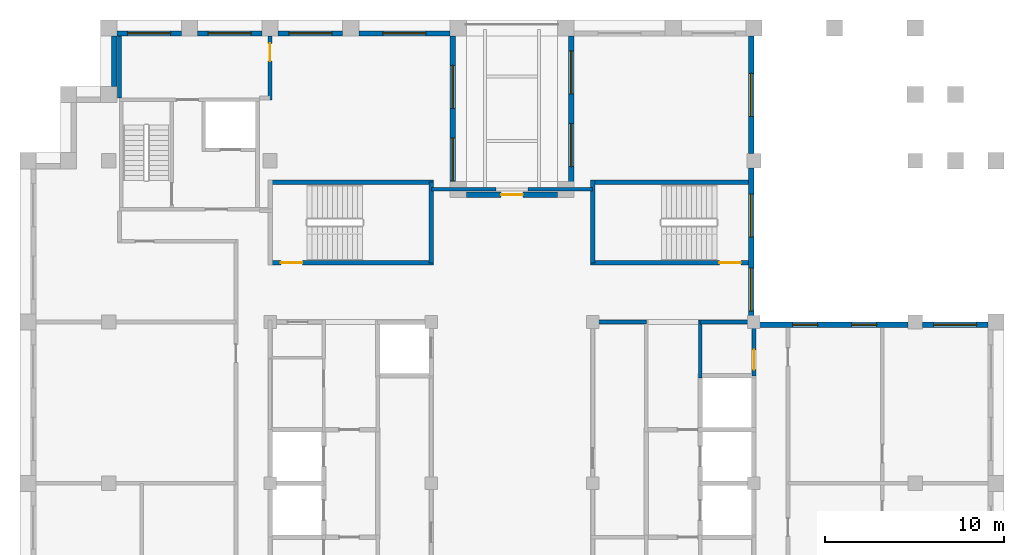
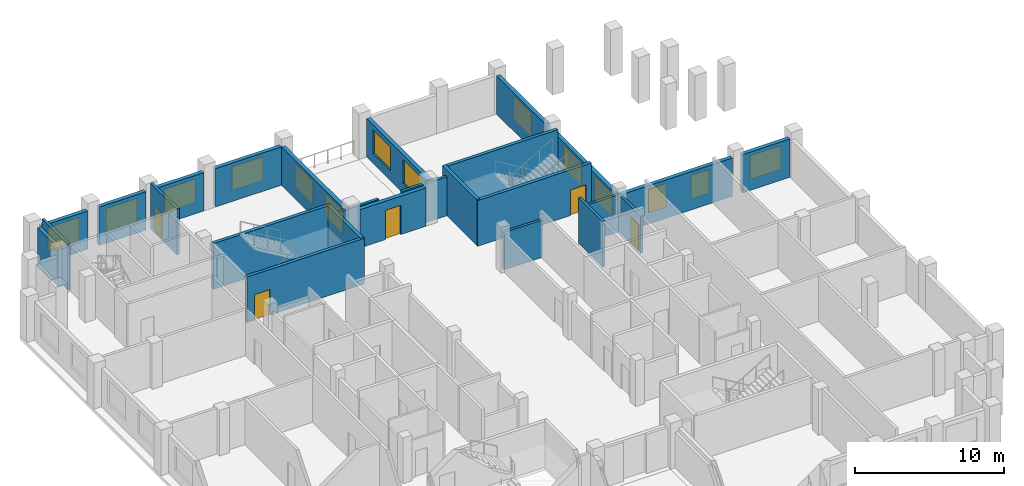
# One storey, part 6 of 8: 26 walls, 14 windows, 5 doors, 19 openings.
"""IFC4 building model written with IfcOpenShell, lengths in metres."""

import ifcopenshell
import ifcopenshell.guid

model = None  # the IFC model being written
_history = None  # IfcOwnerHistory: only IFC2X3 demands one
_inside = {}  # id of a spatial element -> (the spatial element, [elements in it])
_under = {}  # id of a project, library or spatial element -> (it, [spatial elements below it])
_declared = {}  # id of a project -> (the project, [libraries it declares])
_typed = {}  # id of a type object -> (the type object, [elements of that type])
_made_of = {}  # id of a material, layer set ... -> (it, [elements and type objects made of it])


def new_model(schema):
    """Start an empty IFC model of exactly this schema.

    Asked for "IFC4X3", IfcOpenShell would pick the latest addendum, in which some entities
    have other attributes; the version numbers below select the first issue.
    IFC2X3 requires an IfcOwnerHistory on every rooted entity: one is made here for all.
    """
    global model, _history
    if schema == "IFC4X3":
        model = ifcopenshell.file(schema_version=(4, 3, 0, 0))
    else:
        model = ifcopenshell.file(schema=schema)
    _inside.clear()
    _under.clear()
    _declared.clear()
    _typed.clear()
    _made_of.clear()
    _history = None
    if model.schema == "IFC2X3":
        org = make("IfcOrganization", Name="unknown")
        user = make(
            "IfcPersonAndOrganization",
            ThePerson=make("IfcPerson", FamilyName="unknown"),
            TheOrganization=org,
        )
        app = make(
            "IfcApplication",
            ApplicationDeveloper=org,
            Version="unknown",
            ApplicationFullName="unknown",
            ApplicationIdentifier="unknown",
        )
        _history = make(
            "IfcOwnerHistory",
            OwningUser=user,
            OwningApplication=app,
            ChangeAction="ADDED",
            CreationDate=0,
        )
    return model


def make(cls, **values):
    """One entity of the class cls with the attributes given. An attribute that is None is left unset."""
    return model.create_entity(
        cls, **{name: value for name, value in values.items() if value is not None}
    )


def rooted(cls, **values):
    """An entity with a GlobalId (a new one), such as an element, a storey or a relation."""
    return make(cls, GlobalId=ifcopenshell.guid.new(), OwnerHistory=_history, **values)


def si_unit(unit_type, name, prefix=None):
    """IfcSIUnit, for example si_unit("LENGTHUNIT", "METRE", prefix="MILLI")."""
    return make("IfcSIUnit", UnitType=unit_type, Prefix=prefix, Name=name)


def assignment(units):
    """IfcUnitAssignment: the units of a project."""
    return None if units is None else make("IfcUnitAssignment", Units=units)


def point(xyz):
    """IfcCartesianPoint."""
    return None if xyz is None else make("IfcCartesianPoint", Coordinates=xyz)


def direction(xyz):
    """IfcDirection."""
    return None if xyz is None else make("IfcDirection", DirectionRatios=xyz)


def frame(location, z_axis=None, x_axis=None):
    """IfcAxis2Placement3D, a coordinate frame: its origin and axes. An axis left out is left unset."""
    return make(
        "IfcAxis2Placement3D",
        Location=point(location),
        Axis=direction(z_axis),
        RefDirection=direction(x_axis),
    )


def frame_2d(location, x_axis=None):
    """IfcAxis2Placement2D, a coordinate frame in the plane: its origin and x axis."""
    return make(
        "IfcAxis2Placement2D", Location=point(location), RefDirection=direction(x_axis)
    )


def origin():
    """The frame at (0, 0, 0) with its axes left unset."""
    return frame((0.0, 0.0, 0.0))


def place(relative_to, where):
    """IfcLocalPlacement: puts the frame where relative to a parent placement (None: the world)."""
    return make(
        "IfcLocalPlacement", PlacementRelTo=relative_to, RelativePlacement=where
    )


def context(
    kind, dimensions, precision=None, world=None, true_north=None, identifier=None
):
    """IfcGeometricRepresentationContext, for example the 3D "Model" context."""
    return make(
        "IfcGeometricRepresentationContext",
        ContextIdentifier=identifier,
        ContextType=kind,
        CoordinateSpaceDimension=dimensions,
        Precision=precision,
        WorldCoordinateSystem=world,
        TrueNorth=true_north,
    )


def subcontext(parent, identifier, kind, view, scale=None):
    """IfcGeometricRepresentationSubContext, for example "Body" below "Model"."""
    return make(
        "IfcGeometricRepresentationSubContext",
        ContextIdentifier=identifier,
        ContextType=kind,
        ParentContext=parent,
        TargetScale=scale,
        TargetView=view,
    )


def project(units=None, contexts=None):
    """IfcProject with its units and contexts."""
    return rooted(
        "IfcProject",
        Name="project",
        RepresentationContexts=contexts,
        UnitsInContext=assignment(units),
    )


def spatial(cls, under=None, at=None, **own):
    """A site, building, storey or space (cls), placed at a placement, below another one or the project."""
    s = rooted(cls, ObjectPlacement=at, **own)
    if under is not None:
        _under.setdefault(under.id(), (under, []))[1].append(s)
    return s


def profile(cls, at=None, kind="AREA", **sizes):
    """A parametric profile (cls). Its sizes go by their IFC names, for example OverallWidth=200.0."""
    return make(cls, ProfileType=kind, Position=at, **sizes)


def rectangle(**sizes):
    """IfcRectangleProfileDef."""
    return profile("IfcRectangleProfileDef", **sizes)


def extrude(swept, where, along, depth):
    """IfcExtrudedAreaSolid: the profile swept, set in the frame where, extruded along a direction by depth."""
    return make(
        "IfcExtrudedAreaSolid",
        SweptArea=swept,
        Position=where,
        ExtrudedDirection=direction(along),
        Depth=depth,
    )


def shape(context_of_items, identifier, shape_type, items):
    """IfcShapeRepresentation: the items that make up one representation, for example the "Body"."""
    return make(
        "IfcShapeRepresentation",
        ContextOfItems=context_of_items,
        RepresentationIdentifier=identifier,
        RepresentationType=shape_type,
        Items=items,
    )


def material(Name=None, Category=None):
    """IfcMaterial."""
    return make("IfcMaterial", Name=Name, Category=Category)


def layer(
    of_material, thickness, ventilated=None, Name=None, Category=None, Priority=None
):
    """IfcMaterialLayer: one layer of a wall or slab, of a material (None: an air gap)."""
    return make(
        "IfcMaterialLayer",
        Material=of_material,
        LayerThickness=thickness,
        IsVentilated=ventilated,
        Name=Name,
        Category=Category,
        Priority=Priority,
    )


def layer_set(layers, Name=None):
    """IfcMaterialLayerSet."""
    return make("IfcMaterialLayerSet", MaterialLayers=layers, LayerSetName=Name)


def made_of(thing, what):
    """Note that an element or type object is made of a material, layer set ...; save() writes the relation."""
    if what is not None:
        _made_of.setdefault(what.id(), (what, []))[1].append(thing)
    return thing


def type_object(cls, material=None, **own):
    """A type object (cls), such as IfcWallType, which elements share."""
    return made_of(rooted(cls, **own), material)


def element(
    cls,
    number,
    at=None,
    inside=None,
    cuts=None,
    type_object=None,
    material=None,
    context=None,
    identifier="Body",
    shape_type=None,
    held_by="IfcProductDefinitionShape",
    body=None,
    shapes=None,
    **own,
):
    """One element of the class cls, such as IfcWall. Its Tag is "e" and its number.

    at: its placement. inside: the storey or other place that contains it. cuts: it is an
    opening in that element (IfcRelVoidsElement). A single representation is given by context,
    identifier, shape_type and body (its items); several are given by shapes. held_by: the class
    of the entity that holds the representations. save() writes the other relations.
    """
    e = rooted(cls, Tag="e%d" % number, ObjectPlacement=at, **own)
    if body is not None:
        shapes = [shape(context, identifier, shape_type, body)]
    if shapes is not None:
        e.Representation = make(held_by, Representations=shapes)
    if inside is not None:
        _inside.setdefault(inside.id(), (inside, []))[1].append(e)
    if cuts is not None:
        rooted(
            "IfcRelVoidsElement", RelatingBuildingElement=cuts, RelatedOpeningElement=e
        )
    if type_object is not None:
        _typed.setdefault(type_object.id(), (type_object, []))[1].append(e)
    return made_of(e, material)


def fill(opening, filler):
    """IfcRelFillsElement: the door or window that sits in an opening."""
    return rooted(
        "IfcRelFillsElement",
        RelatingOpeningElement=opening,
        RelatedBuildingElement=filler,
    )


def aggregate(whole, parts):
    """IfcRelAggregates: a whole, such as a stair, and the parts it consists of."""
    return rooted("IfcRelAggregates", RelatingObject=whole, RelatedObjects=parts)


def save(model, path):
    """Write the relations noted so far, then the file.

    IfcRelAggregates (storeys below a building ...), IfcRelContainedInSpatialStructure (elements
    in a storey), IfcRelDefinesByType, IfcRelAssociatesMaterial and IfcRelDeclares: one each for
    every whole, place, type object, material and project.
    """
    for whole, parts in _under.values():
        aggregate(whole, parts)
    for where, things in _inside.values():
        rooted(
            "IfcRelContainedInSpatialStructure",
            RelatedElements=things,
            RelatingStructure=where,
        )
    for kind, things in _typed.values():
        rooted("IfcRelDefinesByType", RelatedObjects=things, RelatingType=kind)
    for what, things in _made_of.values():
        rooted("IfcRelAssociatesMaterial", RelatedObjects=things, RelatingMaterial=what)
    for by, libraries in _declared.values():
        rooted("IfcRelDeclares", RelatingContext=by, RelatedDefinitions=libraries)
    model.write(path)


model = new_model("IFC4")

# Units and contexts
model_context = context("Model", 3, precision=1e-05, world=origin(), true_north=direction((0.0, 1.0)))
body_context = subcontext(model_context, "Body", "Model", "MODEL_VIEW")
ifc_project = project(units=[si_unit("LENGTHUNIT", "METRE"), si_unit("AREAUNIT", "SQUARE_METRE"), si_unit("VOLUMEUNIT", "CUBIC_METRE"), si_unit("PLANEANGLEUNIT", "RADIAN"), si_unit("MASSUNIT", "GRAM", prefix="KILO")], contexts=[model_context])

# Site, building, storey
site_placement = place(None, origin())
site = spatial("IfcSite", under=ifc_project, at=site_placement, CompositionType="ELEMENT")
building_placement = place(site_placement, origin())
building = spatial("IfcBuilding", under=site, at=building_placement, Name="Corbelhall Arena Tower", CompositionType="ELEMENT")
storey_placement = place(building_placement, frame((0.0, 0.0, 326.0)))
storey = spatial("IfcBuildingStorey", under=building, at=storey_placement, Name="L71", CompositionType="ELEMENT", Elevation=326.0)

# Wall, openings, windows
ifc_material_1 = material(Name="Precast concrete C40/50 with granite facing", Category="masonry")
ifc_layer_1 = layer(ifc_material_1, 0.300048828125)
ifc_layer_set_1 = layer_set([ifc_layer_1], Name="EV-IW1 Infill panel 300")
wall_type_1 = type_object("IfcWallType", Name="EV-IW1 Infill panel 300", PredefinedType="SOLIDWALL", material=ifc_layer_set_1)
wall_1_placement = place(storey_placement, frame((3.300048828125, 24.949951171875, 0.0), z_axis=(0.0, 0.0, 1.0), x_axis=(0.0, -1.0, 0.0)))
wall_1 = element("IfcWall", 1, at=wall_1_placement, inside=storey, type_object=wall_type_1, Name="Infill panel IW1", PredefinedType="SOLIDWALL", context=body_context, shape_type="SweptSolid", body=[
    extrude(rectangle(XDim=8.5, YDim=0.300048828125, at=frame_2d((4.25, 0.0))), origin(), (0.0, 0.0, 1.0), 3.139892578125),
])
opening_1_placement = place(wall_1_placement, frame((0.824951171875, 0.0, 0.800048828125)))
opening_1 = element("IfcOpeningElement", 2, at=opening_1_placement, cuts=wall_1, Name="Opening WN1", PredefinedType="OPENING", context=body_context, shape_type="SweptSolid", body=[
    extrude(rectangle(XDim=2.39990234375, YDim=1.949951171875, at=frame_2d((1.199951171875, 0.97509765625))), frame((0.0, 0.14990234375, 0.0), z_axis=(0.0, -1.0, 0.0), x_axis=(1.0, 0.0, 0.0)), (0.0, 0.0, 1.0), 0.300048828125),
])
opening_2_placement = place(wall_1_placement, frame((4.875, 0.0, 0.800048828125)))
opening_2 = element("IfcOpeningElement", 3, at=opening_2_placement, cuts=wall_1, Name="Opening WN1", PredefinedType="OPENING", context=body_context, shape_type="SweptSolid", body=[
    extrude(rectangle(XDim=2.39990234375, YDim=1.949951171875, at=frame_2d((1.199951171875, 0.97509765625))), frame((0.0, 0.14990234375, 0.0), z_axis=(0.0, -1.0, 0.0), x_axis=(1.0, 0.0, 0.0)), (0.0, 0.0, 1.0), 0.300048828125),
])
ifc_material_2 = material(Name="Aluminium black anodised", Category="aluminium")
window_type_1 = type_object("IfcWindowType", Name="EV-WN1 Office window", PartitioningType="SINGLE_PANEL", PredefinedType="WINDOW", material=ifc_material_2)
window_1_placement = place(opening_1_placement, origin())
window_1 = element("IfcWindow", 4, at=window_1_placement, inside=storey, type_object=window_type_1, Name="Window WN1", OverallHeight=1.949951171875, OverallWidth=2.39990234375, PartitioningType="SINGLE_PANEL", PredefinedType="WINDOW", context=body_context, shape_type="SweptSolid", body=[
    extrude(rectangle(XDim=2.39990234375, YDim=1.949951171875, at=frame_2d((1.199951171875, 0.97509765625))), frame((0.0, 0.030029296875, 0.0), z_axis=(0.0, -1.0, 0.0), x_axis=(1.0, 0.0, 0.0)), (0.0, 0.0, 1.0), 0.06005859375),
])
fill(opening_1, window_1)
window_2_placement = place(opening_2_placement, origin())
window_2 = element("IfcWindow", 5, at=window_2_placement, inside=storey, type_object=window_type_1, Name="Window WN1", OverallHeight=1.949951171875, OverallWidth=2.39990234375, PartitioningType="SINGLE_PANEL", PredefinedType="WINDOW", context=body_context, shape_type="SweptSolid", body=[
    extrude(rectangle(XDim=2.39990234375, YDim=1.949951171875, at=frame_2d((1.199951171875, 0.97509765625))), frame((0.0, 0.030029296875, 0.0), z_axis=(0.0, -1.0, 0.0), x_axis=(1.0, 0.0, 0.0)), (0.0, 0.0, 1.0), 0.06005859375),
])
fill(opening_2, window_2)

# Wall, opening, door
wall_2_placement = place(storey_placement, frame((-2.550048828125, 16.10009765625, 0.0), z_axis=(0.0, 0.0, 1.0), x_axis=(1.0, 0.0, 0.0)))
wall_2 = element("IfcWall", 6, at=wall_2_placement, inside=storey, type_object=wall_type_1, Name="Infill panel IW1", PredefinedType="SOLIDWALL", context=body_context, shape_type="SweptSolid", body=[
    extrude(rectangle(XDim=5.10009765625, YDim=0.300048828125, at=frame_2d((2.550048828125, 0.0))), origin(), (0.0, 0.0, 1.0), 3.139892578125),
])
opening_3_placement = place(wall_2_placement, frame((1.949951171875, 0.0, 0.0)))
opening_3 = element("IfcOpeningElement", 7, at=opening_3_placement, cuts=wall_2, Name="Opening ED1", PredefinedType="OPENING", context=body_context, shape_type="SweptSolid", body=[
    extrude(rectangle(XDim=1.199951171875, YDim=2.39990234375, at=frame_2d((0.60009765625, 1.199951171875))), frame((0.0, 0.14990234375, 0.0), z_axis=(0.0, -1.0, 0.0), x_axis=(1.0, 0.0, 0.0)), (0.0, 0.0, 1.0), 0.300048828125),
])
door_type_1 = type_object("IfcDoorType", Name="EV-ED1 Terrace door", OperationType="SINGLE_SWING_LEFT", PredefinedType="DOOR", material=ifc_material_2)
door_1_placement = place(opening_3_placement, origin())
door_1 = element("IfcDoor", 8, at=door_1_placement, inside=storey, type_object=door_type_1, Name="Terrace door", OperationType="SINGLE_SWING_LEFT", OverallHeight=2.39990234375, OverallWidth=1.199951171875, PredefinedType="DOOR", context=body_context, shape_type="SweptSolid", body=[
    extrude(rectangle(XDim=1.199951171875, YDim=2.39990234375, at=frame_2d((0.60009765625, 1.199951171875))), frame((0.0, 0.02490234375, 0.0), z_axis=(0.0, -1.0, 0.0), x_axis=(1.0, 0.0, 0.0)), (0.0, 0.0, 1.0), 0.050048828125),
])
fill(opening_3, door_1)

# Wall, openings, windows
wall_3_placement = place(storey_placement, frame((-3.300048828125, 16.449951171875, 0.0), z_axis=(0.0, 0.0, 1.0), x_axis=(0.0, 1.0, 0.0)))
wall_3 = element("IfcWall", 9, at=wall_3_placement, inside=storey, type_object=wall_type_1, Name="Infill panel IW1", PredefinedType="SOLIDWALL", context=body_context, shape_type="SweptSolid", body=[
    extrude(rectangle(XDim=8.5, YDim=0.300048828125, at=frame_2d((4.25, 0.0))), origin(), (0.0, 0.0, 1.0), 3.139892578125),
])
opening_4_placement = place(wall_3_placement, frame((0.425048828125, 0.0, 0.800048828125)))
opening_4 = element("IfcOpeningElement", 10, at=opening_4_placement, cuts=wall_3, Name="Opening WN1", PredefinedType="OPENING", context=body_context, shape_type="SweptSolid", body=[
    extrude(rectangle(XDim=2.39990234375, YDim=1.949951171875, at=frame_2d((1.199951171875, 0.97509765625))), frame((0.0, 0.14990234375, 0.0), z_axis=(0.0, -1.0, 0.0), x_axis=(1.0, 0.0, 0.0)), (0.0, 0.0, 1.0), 0.300048828125),
])
opening_5_placement = place(wall_3_placement, frame((4.47509765625, 0.0, 0.800048828125)))
opening_5 = element("IfcOpeningElement", 11, at=opening_5_placement, cuts=wall_3, Name="Opening WN1", PredefinedType="OPENING", context=body_context, shape_type="SweptSolid", body=[
    extrude(rectangle(XDim=2.39990234375, YDim=1.949951171875, at=frame_2d((1.199951171875, 0.97509765625))), frame((0.0, 0.14990234375, 0.0), z_axis=(0.0, -1.0, 0.0), x_axis=(1.0, 0.0, 0.0)), (0.0, 0.0, 1.0), 0.300048828125),
])
window_3_placement = place(opening_4_placement, origin())
window_3 = element("IfcWindow", 12, at=window_3_placement, inside=storey, type_object=window_type_1, Name="Window WN1", OverallHeight=1.949951171875, OverallWidth=2.39990234375, PartitioningType="SINGLE_PANEL", PredefinedType="WINDOW", context=body_context, shape_type="SweptSolid", body=[
    extrude(rectangle(XDim=2.39990234375, YDim=1.949951171875, at=frame_2d((1.199951171875, 0.97509765625))), frame((0.0, 0.030029296875, 0.0), z_axis=(0.0, -1.0, 0.0), x_axis=(1.0, 0.0, 0.0)), (0.0, 0.0, 1.0), 0.06005859375),
])
fill(opening_4, window_3)
window_4_placement = place(opening_5_placement, origin())
window_4 = element("IfcWindow", 13, at=window_4_placement, inside=storey, type_object=window_type_1, Name="Window WN1", OverallHeight=1.949951171875, OverallWidth=2.39990234375, PartitioningType="SINGLE_PANEL", PredefinedType="WINDOW", context=body_context, shape_type="SweptSolid", body=[
    extrude(rectangle(XDim=2.39990234375, YDim=1.949951171875, at=frame_2d((1.199951171875, 0.97509765625))), frame((0.0, 0.030029296875, 0.0), z_axis=(0.0, -1.0, 0.0), x_axis=(1.0, 0.0, 0.0)), (0.0, 0.0, 1.0), 0.06005859375),
])
fill(opening_5, window_4)

# Wall, opening, window
wall_4_placement = place(storey_placement, frame((-3.449951171875, 25.10009765625, 0.0), z_axis=(0.0, 0.0, 1.0), x_axis=(-1.0, 0.0, 0.0)))
wall_4 = element("IfcWall", 14, at=wall_4_placement, inside=storey, type_object=wall_type_1, Name="Infill panel IW1", PredefinedType="SOLIDWALL", context=body_context, shape_type="SweptSolid", body=[
    extrude(rectangle(XDim=5.10009765625, YDim=0.300048828125, at=frame_2d((2.550048828125, 0.0))), origin(), (0.0, 0.0, 1.0), 3.139892578125),
])
opening_6_placement = place(wall_4_placement, frame((1.35009765625, 0.0, 0.800048828125)))
opening_6 = element("IfcOpeningElement", 15, at=opening_6_placement, cuts=wall_4, Name="Opening WN1", PredefinedType="OPENING", context=body_context, shape_type="SweptSolid", body=[
    extrude(rectangle(XDim=2.39990234375, YDim=1.949951171875, at=frame_2d((1.199951171875, 0.97509765625))), frame((0.0, 0.14990234375, 0.0), z_axis=(0.0, -1.0, 0.0), x_axis=(1.0, 0.0, 0.0)), (0.0, 0.0, 1.0), 0.300048828125),
])
window_5_placement = place(opening_6_placement, origin())
window_5 = element("IfcWindow", 16, at=window_5_placement, inside=storey, type_object=window_type_1, Name="Window WN1", OverallHeight=1.949951171875, OverallWidth=2.39990234375, PartitioningType="SINGLE_PANEL", PredefinedType="WINDOW", context=body_context, shape_type="SweptSolid", body=[
    extrude(rectangle(XDim=2.39990234375, YDim=1.949951171875, at=frame_2d((1.199951171875, 0.97509765625))), frame((0.0, 0.030029296875, 0.0), z_axis=(0.0, -1.0, 0.0), x_axis=(1.0, 0.0, 0.0)), (0.0, 0.0, 1.0), 0.06005859375),
])
fill(opening_6, window_5)

wall_5_placement = place(storey_placement, frame((-9.449951171875, 25.10009765625, 0.0), z_axis=(0.0, 0.0, 1.0), x_axis=(-1.0, 0.0, 0.0)))
wall_5 = element("IfcWall", 17, at=wall_5_placement, inside=storey, type_object=wall_type_1, Name="Infill panel IW1", PredefinedType="SOLIDWALL", context=body_context, shape_type="SweptSolid", body=[
    extrude(rectangle(XDim=3.60009765625, YDim=0.300048828125, at=frame_2d((1.800048828125, 0.0))), origin(), (0.0, 0.0, 1.0), 3.139892578125),
])
opening_7_placement = place(wall_5_placement, frame((0.60009765625, 0.0, 0.800048828125)))
opening_7 = element("IfcOpeningElement", 18, at=opening_7_placement, cuts=wall_5, Name="Opening WN1", PredefinedType="OPENING", context=body_context, shape_type="SweptSolid", body=[
    extrude(rectangle(XDim=2.39990234375, YDim=1.949951171875, at=frame_2d((1.199951171875, 0.97509765625))), frame((0.0, 0.14990234375, 0.0), z_axis=(0.0, -1.0, 0.0), x_axis=(1.0, 0.0, 0.0)), (0.0, 0.0, 1.0), 0.300048828125),
])
window_6_placement = place(opening_7_placement, origin())
window_6 = element("IfcWindow", 19, at=window_6_placement, inside=storey, type_object=window_type_1, Name="Window WN1", OverallHeight=1.949951171875, OverallWidth=2.39990234375, PartitioningType="SINGLE_PANEL", PredefinedType="WINDOW", context=body_context, shape_type="SweptSolid", body=[
    extrude(rectangle(XDim=2.39990234375, YDim=1.949951171875, at=frame_2d((1.199951171875, 0.97509765625))), frame((0.0, 0.030029296875, 0.0), z_axis=(0.0, -1.0, 0.0), x_axis=(1.0, 0.0, 0.0)), (0.0, 0.0, 1.0), 0.06005859375),
])
fill(opening_7, window_6)

wall_6_placement = place(storey_placement, frame((-13.949951171875, 25.10009765625, 0.0), z_axis=(0.0, 0.0, 1.0), x_axis=(-1.0, 0.0, 0.0)))
wall_6 = element("IfcWall", 20, at=wall_6_placement, inside=storey, type_object=wall_type_1, Name="Infill panel IW1", PredefinedType="SOLIDWALL", context=body_context, shape_type="SweptSolid", body=[
    extrude(rectangle(XDim=3.60009765625, YDim=0.300048828125, at=frame_2d((1.800048828125, 0.0))), origin(), (0.0, 0.0, 1.0), 3.139892578125),
])
opening_8_placement = place(wall_6_placement, frame((0.60009765625, 0.0, 0.800048828125)))
opening_8 = element("IfcOpeningElement", 21, at=opening_8_placement, cuts=wall_6, Name="Opening WN1", PredefinedType="OPENING", context=body_context, shape_type="SweptSolid", body=[
    extrude(rectangle(XDim=2.39990234375, YDim=1.949951171875, at=frame_2d((1.199951171875, 0.97509765625))), frame((0.0, 0.14990234375, 0.0), z_axis=(0.0, -1.0, 0.0), x_axis=(1.0, 0.0, 0.0)), (0.0, 0.0, 1.0), 0.300048828125),
])
window_7_placement = place(opening_8_placement, origin())
window_7 = element("IfcWindow", 22, at=window_7_placement, inside=storey, type_object=window_type_1, Name="Window WN1", OverallHeight=1.949951171875, OverallWidth=2.39990234375, PartitioningType="SINGLE_PANEL", PredefinedType="WINDOW", context=body_context, shape_type="SweptSolid", body=[
    extrude(rectangle(XDim=2.39990234375, YDim=1.949951171875, at=frame_2d((1.199951171875, 0.97509765625))), frame((0.0, 0.030029296875, 0.0), z_axis=(0.0, -1.0, 0.0), x_axis=(1.0, 0.0, 0.0)), (0.0, 0.0, 1.0), 0.06005859375),
])
fill(opening_8, window_7)

wall_7_placement = place(storey_placement, frame((-18.449951171875, 25.10009765625, 0.0), z_axis=(0.0, 0.0, 1.0), x_axis=(-1.0, 0.0, 0.0)))
wall_7 = element("IfcWall", 23, at=wall_7_placement, inside=storey, type_object=wall_type_1, Name="Infill panel IW1", PredefinedType="SOLIDWALL", context=body_context, shape_type="SweptSolid", body=[
    extrude(rectangle(XDim=3.60009765625, YDim=0.300048828125, at=frame_2d((1.800048828125, 0.0))), origin(), (0.0, 0.0, 1.0), 3.139892578125),
])
opening_9_placement = place(wall_7_placement, frame((0.60009765625, 0.0, 0.800048828125)))
opening_9 = element("IfcOpeningElement", 24, at=opening_9_placement, cuts=wall_7, Name="Opening WN1", PredefinedType="OPENING", context=body_context, shape_type="SweptSolid", body=[
    extrude(rectangle(XDim=2.39990234375, YDim=1.949951171875, at=frame_2d((1.199951171875, 0.97509765625))), frame((0.0, 0.14990234375, 0.0), z_axis=(0.0, -1.0, 0.0), x_axis=(1.0, 0.0, 0.0)), (0.0, 0.0, 1.0), 0.300048828125),
])
window_8_placement = place(opening_9_placement, origin())
window_8 = element("IfcWindow", 25, at=window_8_placement, inside=storey, type_object=window_type_1, Name="Window WN1", OverallHeight=1.949951171875, OverallWidth=2.39990234375, PartitioningType="SINGLE_PANEL", PredefinedType="WINDOW", context=body_context, shape_type="SweptSolid", body=[
    extrude(rectangle(XDim=2.39990234375, YDim=1.949951171875, at=frame_2d((1.199951171875, 0.97509765625))), frame((0.0, 0.030029296875, 0.0), z_axis=(0.0, -1.0, 0.0), x_axis=(1.0, 0.0, 0.0)), (0.0, 0.0, 1.0), 0.06005859375),
])
fill(opening_9, window_8)

# Wall
wall_8_placement = place(storey_placement, frame((-22.199951171875, 24.949951171875, 0.0), z_axis=(0.0, 0.0, 1.0), x_axis=(0.0, -1.0, 0.0)))
element("IfcWall", 26, at=wall_8_placement, inside=storey, type_object=wall_type_1, Name="Infill panel IW1", PredefinedType="SOLIDWALL", context=body_context, shape_type="SweptSolid", body=[
    extrude(rectangle(XDim=2.800048828125, YDim=0.300048828125, at=frame_2d((1.39990234375, 0.0))), origin(), (0.0, 0.0, 1.0), 3.139892578125),
])

# Wall, openings, windows
wall_9_placement = place(storey_placement, frame((13.35009765625, 9.050048828125, 0.0), z_axis=(0.0, 0.0, 1.0), x_axis=(0.0, 1.0, 0.0)))
wall_9 = element("IfcWall", 27, at=wall_9_placement, inside=storey, type_object=wall_type_1, Name="Infill panel IW1", PredefinedType="SOLIDWALL", context=body_context, shape_type="SweptSolid", body=[
    extrude(rectangle(XDim=8.550048828125, YDim=0.300048828125, at=frame_2d((4.27490234375, 0.0))), origin(), (0.0, 0.0, 1.0), 3.139892578125),
])
opening_10_placement = place(wall_9_placement, frame((0.5625, 0.0, 0.800048828125)))
opening_10 = element("IfcOpeningElement", 28, at=opening_10_placement, cuts=wall_9, Name="Opening WN1", PredefinedType="OPENING", context=body_context, shape_type="SweptSolid", body=[
    extrude(rectangle(XDim=2.39990234375, YDim=1.949951171875, at=frame_2d((1.199951171875, 0.97509765625))), frame((0.0, 0.14990234375, 0.0), z_axis=(0.0, -1.0, 0.0), x_axis=(1.0, 0.0, 0.0)), (0.0, 0.0, 1.0), 0.300048828125),
])
opening_11_placement = place(wall_9_placement, frame((4.6875, 0.0, 0.800048828125)))
opening_11 = element("IfcOpeningElement", 29, at=opening_11_placement, cuts=wall_9, Name="Opening WN1", PredefinedType="OPENING", context=body_context, shape_type="SweptSolid", body=[
    extrude(rectangle(XDim=2.39990234375, YDim=1.949951171875, at=frame_2d((1.199951171875, 0.97509765625))), frame((0.0, 0.14990234375, 0.0), z_axis=(0.0, -1.0, 0.0), x_axis=(1.0, 0.0, 0.0)), (0.0, 0.0, 1.0), 0.300048828125),
])
window_9_placement = place(opening_10_placement, origin())
window_9 = element("IfcWindow", 30, at=window_9_placement, inside=storey, type_object=window_type_1, Name="Window WN1", OverallHeight=1.949951171875, OverallWidth=2.39990234375, PartitioningType="SINGLE_PANEL", PredefinedType="WINDOW", context=body_context, shape_type="SweptSolid", body=[
    extrude(rectangle(XDim=2.39990234375, YDim=1.949951171875, at=frame_2d((1.199951171875, 0.97509765625))), frame((0.0, 0.030029296875, 0.0), z_axis=(0.0, -1.0, 0.0), x_axis=(1.0, 0.0, 0.0)), (0.0, 0.0, 1.0), 0.06005859375),
])
fill(opening_10, window_9)
window_10_placement = place(opening_11_placement, origin())
window_10 = element("IfcWindow", 31, at=window_10_placement, inside=storey, type_object=window_type_1, Name="Window WN1", OverallHeight=1.949951171875, OverallWidth=2.39990234375, PartitioningType="SINGLE_PANEL", PredefinedType="WINDOW", context=body_context, shape_type="SweptSolid", body=[
    extrude(rectangle(XDim=2.39990234375, YDim=1.949951171875, at=frame_2d((1.199951171875, 0.97509765625))), frame((0.0, 0.030029296875, 0.0), z_axis=(0.0, -1.0, 0.0), x_axis=(1.0, 0.0, 0.0)), (0.0, 0.0, 1.0), 0.06005859375),
])
fill(opening_11, window_10)

# Wall, opening, window
wall_10_placement = place(storey_placement, frame((13.35009765625, 18.39990234375, 0.0), z_axis=(0.0, 0.0, 1.0), x_axis=(0.0, 1.0, 0.0)))
wall_10 = element("IfcWall", 32, at=wall_10_placement, inside=storey, type_object=wall_type_1, Name="Infill panel IW1", PredefinedType="SOLIDWALL", context=body_context, shape_type="SweptSolid", body=[
    extrude(rectangle(XDim=6.550048828125, YDim=0.300048828125, at=frame_2d((3.27490234375, 0.0))), origin(), (0.0, 0.0, 1.0), 3.139892578125),
])
opening_12_placement = place(wall_10_placement, frame((2.074951171875, 0.0, 0.800048828125)))
opening_12 = element("IfcOpeningElement", 33, at=opening_12_placement, cuts=wall_10, Name="Opening WN1", PredefinedType="OPENING", context=body_context, shape_type="SweptSolid", body=[
    extrude(rectangle(XDim=2.39990234375, YDim=1.949951171875, at=frame_2d((1.199951171875, 0.97509765625))), frame((0.0, 0.14990234375, 0.0), z_axis=(0.0, -1.0, 0.0), x_axis=(1.0, 0.0, 0.0)), (0.0, 0.0, 1.0), 0.300048828125),
])
window_11_placement = place(opening_12_placement, origin())
window_11 = element("IfcWindow", 34, at=window_11_placement, inside=storey, type_object=window_type_1, Name="Window WN1", OverallHeight=1.949951171875, OverallWidth=2.39990234375, PartitioningType="SINGLE_PANEL", PredefinedType="WINDOW", context=body_context, shape_type="SweptSolid", body=[
    extrude(rectangle(XDim=2.39990234375, YDim=1.949951171875, at=frame_2d((1.199951171875, 0.97509765625))), frame((0.0, 0.030029296875, 0.0), z_axis=(0.0, -1.0, 0.0), x_axis=(1.0, 0.0, 0.0)), (0.0, 0.0, 1.0), 0.06005859375),
])
fill(opening_12, window_11)

# Wall, openings, windows
wall_11_placement = place(storey_placement, frame((22.10009765625, 8.85009765625, 0.0), z_axis=(0.0, 0.0, 1.0), x_axis=(-1.0, 0.0, 0.0)))
wall_11 = element("IfcWall", 35, at=wall_11_placement, inside=storey, type_object=wall_type_1, Name="Infill panel IW1", PredefinedType="SOLIDWALL", context=body_context, shape_type="SweptSolid", body=[
    extrude(rectangle(XDim=8.550048828125, YDim=0.300048828125, at=frame_2d((4.27490234375, 0.0))), origin(), (0.0, 0.0, 1.0), 3.139892578125),
])
opening_13_placement = place(wall_11_placement, frame((1.75634765625, 0.0, 0.800048828125)))
opening_13 = element("IfcOpeningElement", 36, at=opening_13_placement, cuts=wall_11, Name="Opening WN7", PredefinedType="OPENING", context=body_context, shape_type="SweptSolid", body=[
    extrude(rectangle(XDim=1.39990234375, YDim=1.949951171875, at=frame_2d((0.699951171875, 0.97509765625))), frame((0.0, 0.14990234375, 0.0), z_axis=(0.0, -1.0, 0.0), x_axis=(1.0, 0.0, 0.0)), (0.0, 0.0, 1.0), 0.300048828125),
])
opening_14_placement = place(wall_11_placement, frame((5.043701171875, 0.0, 0.800048828125)))
opening_14 = element("IfcOpeningElement", 37, at=opening_14_placement, cuts=wall_11, Name="Opening WN7", PredefinedType="OPENING", context=body_context, shape_type="SweptSolid", body=[
    extrude(rectangle(XDim=1.39990234375, YDim=1.949951171875, at=frame_2d((0.699951171875, 0.97509765625))), frame((0.0, 0.14990234375, 0.0), z_axis=(0.0, -1.0, 0.0), x_axis=(1.0, 0.0, 0.0)), (0.0, 0.0, 1.0), 0.300048828125),
])
window_type_2 = type_object("IfcWindowType", Name="EV-WN7 Office window 1400", PartitioningType="SINGLE_PANEL", PredefinedType="WINDOW", material=ifc_material_2)
window_12_placement = place(opening_13_placement, origin())
window_12 = element("IfcWindow", 38, at=window_12_placement, inside=storey, type_object=window_type_2, Name="Window WN7", OverallHeight=1.949951171875, OverallWidth=1.39990234375, PartitioningType="SINGLE_PANEL", PredefinedType="WINDOW", context=body_context, shape_type="SweptSolid", body=[
    extrude(rectangle(XDim=1.39990234375, YDim=1.949951171875, at=frame_2d((0.699951171875, 0.97509765625))), frame((0.0, 0.030029296875, 0.0), z_axis=(0.0, -1.0, 0.0), x_axis=(1.0, 0.0, 0.0)), (0.0, 0.0, 1.0), 0.06005859375),
])
fill(opening_13, window_12)
window_13_placement = place(opening_14_placement, origin())
window_13 = element("IfcWindow", 39, at=window_13_placement, inside=storey, type_object=window_type_2, Name="Window WN7", OverallHeight=1.949951171875, OverallWidth=1.39990234375, PartitioningType="SINGLE_PANEL", PredefinedType="WINDOW", context=body_context, shape_type="SweptSolid", body=[
    extrude(rectangle(XDim=1.39990234375, YDim=1.949951171875, at=frame_2d((0.699951171875, 0.97509765625))), frame((0.0, 0.030029296875, 0.0), z_axis=(0.0, -1.0, 0.0), x_axis=(1.0, 0.0, 0.0)), (0.0, 0.0, 1.0), 0.06005859375),
])
fill(opening_14, window_13)

# Wall, opening, window
wall_12_placement = place(storey_placement, frame((26.550048828125, 8.85009765625, 0.0), z_axis=(0.0, 0.0, 1.0), x_axis=(-1.0, 0.0, 0.0)))
wall_12 = element("IfcWall", 40, at=wall_12_placement, inside=storey, type_object=wall_type_1, Name="Infill panel IW1", PredefinedType="SOLIDWALL", context=body_context, shape_type="SweptSolid", body=[
    extrude(rectangle(XDim=3.650146484375, YDim=0.300048828125, at=frame_2d((1.8251953125, 0.0))), origin(), (0.0, 0.0, 1.0), 3.139892578125),
])
opening_15_placement = place(wall_12_placement, frame((0.625, 0.0, 0.800048828125)))
opening_15 = element("IfcOpeningElement", 41, at=opening_15_placement, cuts=wall_12, Name="Opening WN1", PredefinedType="OPENING", context=body_context, shape_type="SweptSolid", body=[
    extrude(rectangle(XDim=2.39990234375, YDim=1.949951171875, at=frame_2d((1.199951171875, 0.97509765625))), frame((0.0, 0.14990234375, 0.0), z_axis=(0.0, -1.0, 0.0), x_axis=(1.0, 0.0, 0.0)), (0.0, 0.0, 1.0), 0.300048828125),
])
window_14_placement = place(opening_15_placement, origin())
window_14 = element("IfcWindow", 42, at=window_14_placement, inside=storey, type_object=window_type_1, Name="Window WN1", OverallHeight=1.949951171875, OverallWidth=2.39990234375, PartitioningType="SINGLE_PANEL", PredefinedType="WINDOW", context=body_context, shape_type="SweptSolid", body=[
    extrude(rectangle(XDim=2.39990234375, YDim=1.949951171875, at=frame_2d((1.199951171875, 0.97509765625))), frame((0.0, 0.030029296875, 0.0), z_axis=(0.0, -1.0, 0.0), x_axis=(1.0, 0.0, 0.0)), (0.0, 0.0, 1.0), 0.06005859375),
])
fill(opening_15, window_14)

# Wall
ifc_material_3 = material(Name="Gypsum board on steel stud, acoustic", Category="steel")
ifc_layer_2 = layer(ifc_material_3, 0.199951171875)
ifc_layer_set_2 = layer_set([ifc_layer_2], Name="IN-W-DM200")
wall_type_2 = type_object("IfcWallType", Name="IN-W-DM200", PredefinedType="PARTITIONING", material=ifc_layer_set_2)
wall_13_placement = place(storey_placement, frame((-21.89990234375, 21.5, 0.0), z_axis=(0.0, 0.0, 1.0), x_axis=(0.0, 1.0, 0.0)))
element("IfcWall", 43, at=wall_13_placement, inside=storey, type_object=wall_type_2, Name="Partition 005", PredefinedType="PARTITIONING", context=body_context, shape_type="SweptSolid", body=[
    extrude(rectangle(XDim=3.449951171875, YDim=0.199951171875, at=frame_2d((1.72509765625, 0.0))), origin(), (0.0, 0.0, 1.0), 3.739990234375),
])

# Wall, opening, door
wall_14_placement = place(storey_placement, frame((-13.5, 24.949951171875, 0.0), z_axis=(0.0, 0.0, 1.0), x_axis=(0.0, -1.0, 0.0)))
wall_14 = element("IfcWall", 44, at=wall_14_placement, inside=storey, type_object=wall_type_2, Name="Partition 013", PredefinedType="PARTITIONING", context=body_context, shape_type="SweptSolid", body=[
    extrude(rectangle(XDim=3.550048828125, YDim=0.199951171875, at=frame_2d((1.77490234375, 0.0))), origin(), (0.0, 0.0, 1.0), 3.739990234375),
])
opening_16_placement = place(wall_14_placement, frame((0.39990234375, 0.0, 0.0)))
opening_16 = element("IfcOpeningElement", 45, at=opening_16_placement, cuts=wall_14, Name="Opening 23019", PredefinedType="OPENING", context=body_context, shape_type="SweptSolid", body=[
    extrude(rectangle(XDim=1.0, YDim=2.10009765625, at=frame_2d((0.5, 1.050048828125))), frame((0.0, 0.10009765625, 0.0), z_axis=(0.0, -1.0, 0.0), x_axis=(1.0, 0.0, 0.0)), (0.0, 0.0, 1.0), 0.199951171875),
])
ifc_material_4 = material(Name="Steel door set", Category="steel")
door_type_2 = type_object("IfcDoorType", Name="IN-D-SW100", OperationType="NOTDEFINED", PredefinedType="DOOR", material=ifc_material_4)
door_2_placement = place(opening_16_placement, origin())
door_2 = element("IfcDoor", 46, at=door_2_placement, inside=storey, type_object=door_type_2, Name="Door 019", OperationType="SINGLE_SWING_RIGHT", OverallHeight=2.10009765625, OverallWidth=1.0, PredefinedType="DOOR", context=body_context, shape_type="SweptSolid", body=[
    extrude(rectangle(XDim=1.0, YDim=2.10009765625, at=frame_2d((0.5, 1.050048828125))), frame((0.0, 0.02490234375, 0.0), z_axis=(0.0, -1.0, 0.0), x_axis=(1.0, 0.0, 0.0)), (0.0, 0.0, 1.0), 0.050048828125),
])
fill(opening_16, door_2)

# Walls
ifc_layer_3 = layer(ifc_material_3, 0.199951171875)
ifc_layer_set_3 = layer_set([ifc_layer_3], Name="IN-W-DM200 under beam 536 mm")
wall_type_3 = type_object("IfcWallType", Name="IN-W-DM200 under beam 536 mm", PredefinedType="PARTITIONING", material=ifc_layer_set_3)
for number, where, z_axis, x_axis, name in (
    (47, (-4.5, 16.39990234375, 0.0), (0.0, 0.0, 1.0), (1.0, 0.0, 0.0), "Partition 014"),
    (48, (0.89990234375, 16.39990234375, 0.0), (0.0, 0.0, 1.0), (1.0, 0.0, 0.0), "Partition 016"),
):
    element("IfcWall", number, at=place(storey_placement, frame(where, z_axis=z_axis, x_axis=x_axis)), inside=storey, type_object=wall_type_3, Name=name, PredefinedType="PARTITIONING", context=body_context, shape_type="SweptSolid", body=[
        extrude(rectangle(XDim=3.60009765625, YDim=0.199951171875, at=frame_2d((1.800048828125, 0.0))), origin(), (0.0, 0.0, 1.0), 3.2041015625),
    ])
ifc_material_5 = material(Name="Concrete block wall", Category="concrete")
ifc_layer_4 = layer(ifc_material_5, 0.199951171875)
ifc_layer_set_4 = layer_set([ifc_layer_4], Name="IN-W-RS200")
wall_type_4 = type_object("IfcWallType", Name="IN-W-RS200", PredefinedType="SOLIDWALL", material=ifc_layer_set_4)
wall_15_placement = place(storey_placement, frame((10.5, 9.10009765625, 0.0), z_axis=(0.0, 0.0, 1.0), x_axis=(0.0, -1.0, 0.0)))
element("IfcWall", 49, at=wall_15_placement, inside=storey, type_object=wall_type_4, Name="Partition 043", PredefinedType="SOLIDWALL", context=body_context, shape_type="SweptSolid", body=[
    extrude(rectangle(XDim=3.22509765625, YDim=0.199951171875, at=frame_2d((1.612548828125, 0.0))), origin(), (0.0, 0.0, 1.0), 3.739990234375),
])
ifc_layer_5 = layer(ifc_material_5, 0.199951171875)
ifc_layer_set_5 = layer_set([ifc_layer_5], Name="IN-W-RS200 under beam 678 mm")
wall_type_5 = type_object("IfcWallType", Name="IN-W-RS200 under beam 678 mm", PredefinedType="SOLIDWALL", material=ifc_layer_set_5)
for number, where, z_axis, x_axis, name in (
    (50, (4.5, 9.0, 0.0), (0.0, 0.0, 1.0), (1.0, 0.0, 0.0), "Partition 038"),
    (51, (10.5, 9.0, 0.0), (0.0, 0.0, 1.0), (1.0, 0.0, 0.0), "Partition 042"),
):
    element("IfcWall", number, at=place(storey_placement, frame(where, z_axis=z_axis, x_axis=x_axis)), inside=storey, type_object=wall_type_5, Name=name, PredefinedType="SOLIDWALL", context=body_context, shape_type="SweptSolid", body=[
        extrude(rectangle(XDim=3.0, YDim=0.199951171875, at=frame_2d((1.5, 0.0))), origin(), (0.0, 0.0, 1.0), 3.061767578125),
    ])

# Wall, opening, door
wall_16_placement = place(storey_placement, frame((13.5, 9.050048828125, 0.0), z_axis=(0.0, 0.0, 1.0), x_axis=(0.0, -1.0, 0.0)))
wall_16 = element("IfcWall", 52, at=wall_16_placement, inside=storey, type_object=wall_type_5, Name="Partition 045", PredefinedType="SOLIDWALL", context=body_context, shape_type="SweptSolid", body=[
    extrude(rectangle(XDim=3.050048828125, YDim=0.199951171875, at=frame_2d((1.52490234375, 0.0))), origin(), (0.0, 0.0, 1.0), 3.061767578125),
])
opening_17_placement = place(wall_16_placement, frame((1.60009765625, 0.0, 0.0)))
opening_17 = element("IfcOpeningElement", 53, at=opening_17_placement, cuts=wall_16, Name="Opening 23014", PredefinedType="OPENING", context=body_context, shape_type="SweptSolid", body=[
    extrude(rectangle(XDim=1.10009765625, YDim=2.10009765625, at=frame_2d((0.550048828125, 1.050048828125))), frame((0.0, 0.10009765625, 0.0), z_axis=(0.0, -1.0, 0.0), x_axis=(1.0, 0.0, 0.0)), (0.0, 0.0, 1.0), 0.199951171875),
])
door_type_3 = type_object("IfcDoorType", Name="IN-D-FD110", OperationType="NOTDEFINED", PredefinedType="DOOR", material=ifc_material_4)
door_3_placement = place(opening_17_placement, origin())
door_3 = element("IfcDoor", 54, at=door_3_placement, inside=storey, type_object=door_type_3, Name="Door 014", OperationType="SINGLE_SWING_LEFT", OverallHeight=2.10009765625, OverallWidth=1.10009765625, PredefinedType="DOOR", context=body_context, shape_type="SweptSolid", body=[
    extrude(rectangle(XDim=1.10009765625, YDim=2.10009765625, at=frame_2d((0.550048828125, 1.050048828125))), frame((0.0, 0.02490234375, 0.0), z_axis=(0.0, -1.0, 0.0), x_axis=(1.0, 0.0, 0.0)), (0.0, 0.0, 1.0), 0.050048828125),
])
fill(opening_17, door_3)

ifc_material_6 = material(Name="Concrete C40/50", Category="concrete")
ifc_layer_6 = layer(ifc_material_6, 0.25)
ifc_layer_set_6 = layer_set([ifc_layer_6], Name="IN-W-ST250")
wall_type_6 = type_object("IfcWallType", Name="IN-W-ST250", PredefinedType="SOLIDWALL", material=ifc_layer_set_6)
wall_17_placement = place(storey_placement, frame((-13.5, 12.300048828125, 0.0), z_axis=(0.0, 0.0, 1.0), x_axis=(1.0, 0.0, 0.0)))
wall_17 = element("IfcWall", 55, at=wall_17_placement, inside=storey, type_object=wall_type_6, Name="Shaft wall 068", PredefinedType="SOLIDWALL", context=body_context, shape_type="SweptSolid", body=[
    extrude(rectangle(XDim=9.125, YDim=0.25, at=frame_2d((4.5625, 0.0))), origin(), (0.0, 0.0, 1.0), 3.739990234375),
])
opening_18_placement = place(wall_17_placement, frame((0.60009765625, 0.0, 0.0)))
opening_18 = element("IfcOpeningElement", 56, at=opening_18_placement, cuts=wall_17, Name="Opening 23015", PredefinedType="OPENING", context=body_context, shape_type="SweptSolid", body=[
    extrude(rectangle(XDim=1.199951171875, YDim=2.10009765625, at=frame_2d((0.60009765625, 1.050048828125))), frame((0.0, 0.125, 0.0), z_axis=(0.0, -1.0, 0.0), x_axis=(1.0, 0.0, 0.0)), (0.0, 0.0, 1.0), 0.25),
])
door_type_4 = type_object("IfcDoorType", Name="IN-D-ST120", OperationType="NOTDEFINED", PredefinedType="DOOR", material=ifc_material_4)
door_4_placement = place(opening_18_placement, origin())
door_4 = element("IfcDoor", 57, at=door_4_placement, inside=storey, type_object=door_type_4, Name="Door 015", OperationType="SINGLE_SWING_RIGHT", OverallHeight=2.10009765625, OverallWidth=1.199951171875, PredefinedType="DOOR", context=body_context, shape_type="SweptSolid", body=[
    extrude(rectangle(XDim=1.199951171875, YDim=2.10009765625, at=frame_2d((0.60009765625, 1.050048828125))), frame((0.0, 0.02490234375, 0.0), z_axis=(0.0, -1.0, 0.0), x_axis=(1.0, 0.0, 0.0)), (0.0, 0.0, 1.0), 0.050048828125),
])
fill(opening_18, door_4)

# Walls
wall_18_placement = place(storey_placement, frame((-13.5, 16.800048828125, 0.0), z_axis=(0.0, 0.0, 1.0), x_axis=(1.0, 0.0, 0.0)))
element("IfcWall", 58, at=wall_18_placement, inside=storey, type_object=wall_type_6, Name="Shaft wall 070", PredefinedType="SOLIDWALL", context=body_context, shape_type="SweptSolid", body=[
    extrude(rectangle(XDim=9.125, YDim=0.25, at=frame_2d((4.5625, 0.0))), origin(), (0.0, 0.0, 1.0), 3.739990234375),
])
wall_19_placement = place(storey_placement, frame((-4.5, 16.800048828125, 0.0), z_axis=(0.0, 0.0, 1.0), x_axis=(0.0, -1.0, 0.0)))
element("IfcWall", 59, at=wall_19_placement, inside=storey, type_object=wall_type_6, Name="Shaft wall 073", PredefinedType="SOLIDWALL", context=body_context, shape_type="SweptSolid", body=[
    extrude(rectangle(XDim=4.5, YDim=0.25, at=frame_2d((2.25, 0.0))), origin(), (0.0, 0.0, 1.0), 3.739990234375),
])

# Wall, opening, door
wall_20_placement = place(storey_placement, frame((4.375, 12.300048828125, 0.0), z_axis=(0.0, 0.0, 1.0), x_axis=(1.0, 0.0, 0.0)))
wall_20 = element("IfcWall", 60, at=wall_20_placement, inside=storey, type_object=wall_type_6, Name="Shaft wall 075", PredefinedType="SOLIDWALL", context=body_context, shape_type="SweptSolid", body=[
    extrude(rectangle(XDim=8.824951171875, YDim=0.25, at=frame_2d((4.41259765625, 0.0))), origin(), (0.0, 0.0, 1.0), 3.739990234375),
])
opening_19_placement = place(wall_20_placement, frame((7.199951171875, 0.0, 0.0)))
opening_19 = element("IfcOpeningElement", 61, at=opening_19_placement, cuts=wall_20, Name="Opening 23017", PredefinedType="OPENING", context=body_context, shape_type="SweptSolid", body=[
    extrude(rectangle(XDim=1.199951171875, YDim=2.10009765625, at=frame_2d((0.60009765625, 1.050048828125))), frame((0.0, 0.125, 0.0), z_axis=(0.0, -1.0, 0.0), x_axis=(1.0, 0.0, 0.0)), (0.0, 0.0, 1.0), 0.25),
])
door_5_placement = place(opening_19_placement, origin())
door_5 = element("IfcDoor", 62, at=door_5_placement, inside=storey, type_object=door_type_4, Name="Door 017", OperationType="SINGLE_SWING_RIGHT", OverallHeight=2.10009765625, OverallWidth=1.199951171875, PredefinedType="DOOR", context=body_context, shape_type="SweptSolid", body=[
    extrude(rectangle(XDim=1.199951171875, YDim=2.10009765625, at=frame_2d((0.60009765625, 1.050048828125))), frame((0.0, 0.02490234375, 0.0), z_axis=(0.0, -1.0, 0.0), x_axis=(1.0, 0.0, 0.0)), (0.0, 0.0, 1.0), 0.050048828125),
])
fill(opening_19, door_5)

# Walls
wall_21_placement = place(storey_placement, frame((4.5, 12.300048828125, 0.0), z_axis=(0.0, 0.0, 1.0), x_axis=(0.0, 1.0, 0.0)))
element("IfcWall", 63, at=wall_21_placement, inside=storey, type_object=wall_type_6, Name="Shaft wall 077", PredefinedType="SOLIDWALL", context=body_context, shape_type="SweptSolid", body=[
    extrude(rectangle(XDim=4.625, YDim=0.25, at=frame_2d((2.3125, 0.0))), origin(), (0.0, 0.0, 1.0), 3.739990234375),
])
wall_22_placement = place(storey_placement, frame((4.5, 16.800048828125, 0.0), z_axis=(0.0, 0.0, 1.0), x_axis=(1.0, 0.0, 0.0)))
element("IfcWall", 64, at=wall_22_placement, inside=storey, type_object=wall_type_6, Name="Shaft wall 078", PredefinedType="SOLIDWALL", context=body_context, shape_type="SweptSolid", body=[
    extrude(rectangle(XDim=8.699951171875, YDim=0.25, at=frame_2d((4.35009765625, 0.0))), origin(), (0.0, 0.0, 1.0), 3.739990234375),
])

save(model, "model.ifc")
